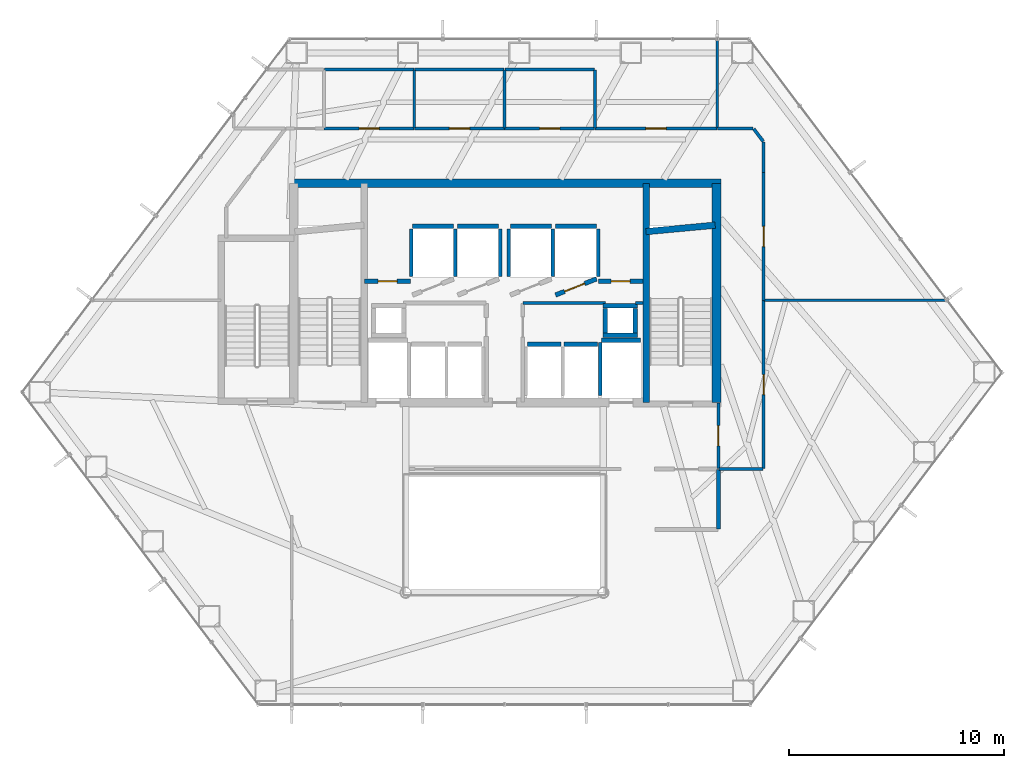
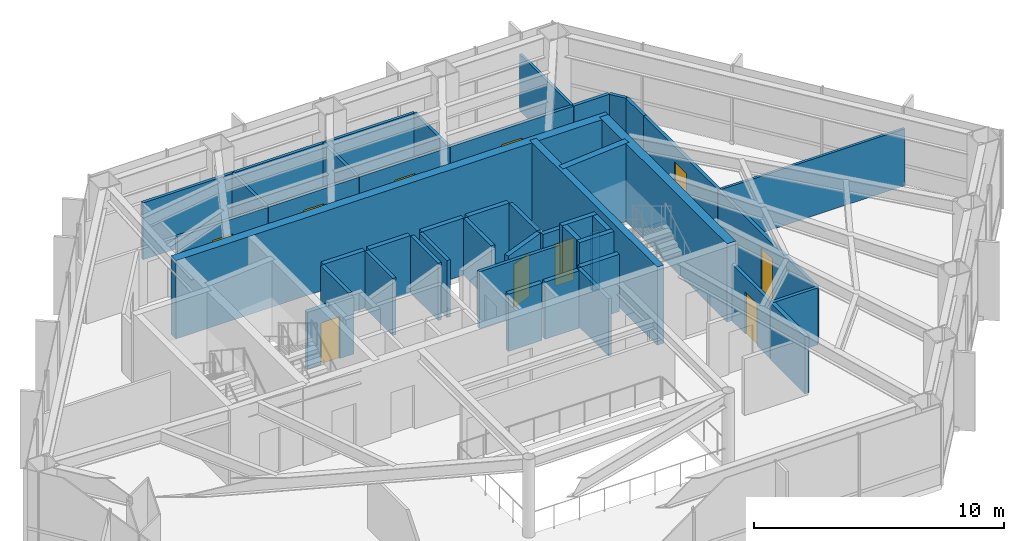
# One storey, part 24 of 26: 47 walls, 10 doors, 10 openings.
"""IFC4 building model written with IfcOpenShell, lengths in metres."""

from ifc_helpers import new_model, si_unit, direction, frame, frame_2d, origin, place, context, subcontext, project, spatial, rectangle, extrude, material, layer, layer_set, type_object, element, fill, save


model = new_model("IFC4")

# Units and contexts
model_context = context("Model", 3, precision=1e-05, world=origin(), true_north=direction((0.0, 1.0)))
body_context = subcontext(model_context, "Body", "Model", "MODEL_VIEW")
ifc_project = project(units=[si_unit("LENGTHUNIT", "METRE"), si_unit("AREAUNIT", "SQUARE_METRE"), si_unit("VOLUMEUNIT", "CUBIC_METRE"), si_unit("PLANEANGLEUNIT", "RADIAN"), si_unit("MASSUNIT", "GRAM", prefix="KILO")], contexts=[model_context])

# Site, building, storey
site_placement = place(None, origin())
site = spatial("IfcSite", under=ifc_project, at=site_placement, CompositionType="ELEMENT")
building_placement = place(site_placement, origin())
building = spatial("IfcBuilding", under=site, at=building_placement, Name="Zarrinselat Tower", CompositionType="ELEMENT")
storey_placement = place(building_placement, frame((0.0, 0.0, 27.5400390625)))
storey = spatial("IfcBuildingStorey", under=building, at=storey_placement, Name="L06", CompositionType="ELEMENT", Elevation=27.5400390625)

# Walls
ifc_material_1 = material(Name="Concrete C40/50", Category="concrete")
ifc_layer_1 = layer(ifc_material_1, 0.18994140625)
ifc_layer_set_1 = layer_set([ifc_layer_1], Name="Concrete C40/50")
wall_type_1 = type_object("IfcWallType", Name="WAL-PART-EI120", PredefinedType="PARTITIONING", material=ifc_layer_set_1)
wall_1_placement = place(storey_placement, frame((48.35009765625, 27.3701171875, 0.0), z_axis=(0.0, 0.0, 1.0), x_axis=(0.0, 1.0, 0.0)))
element("IfcWall", 1, at=wall_1_placement, inside=storey, type_object=wall_type_1, Name="L06 Partition Wall 12", PredefinedType="PARTITIONING", context=body_context, shape_type="SweptSolid", body=[
    extrude(rectangle(XDim=2.759765625, YDim=0.18994140625, at=frame_2d((1.3798828125, 0.0))), origin(), (0.0, 0.0, 1.0), 2.77685546875),
])
ifc_material_2 = material(Name="Fire-Rated Gypsum Board Partition", Category="gypsum")
ifc_layer_2 = layer(ifc_material_2, 0.14990234375)
ifc_layer_set_2 = layer_set([ifc_layer_2], Name="Fire-Rated Gypsum Board Partition")
wall_type_2 = type_object("IfcWallType", Name="WAL-PART-EI60", PredefinedType="PARTITIONING", material=ifc_layer_set_2)
wall_2_placement = place(storey_placement, frame((39.27001953125, 37.8798828125, 0.0), z_axis=(0.0, 0.0, 1.0), x_axis=(1.0, 0.0, 0.0)))
element("IfcWall", 2, at=wall_2_placement, inside=storey, type_object=wall_type_2, Name="L06 Partition Wall 5", PredefinedType="PARTITIONING", context=body_context, shape_type="SweptSolid", body=[
    extrude(rectangle(XDim=3.824951171875, YDim=0.14990234375, at=frame_2d((1.91259765625, 0.0))), origin(), (0.0, 0.0, 1.0), 2.77685546875),
])
wall_3_placement = place(storey_placement, frame((44.485107421875, 37.8798828125, 0.0), z_axis=(0.0, 0.0, 1.0), x_axis=(1.0, 0.0, 0.0)))
element("IfcWall", 3, at=wall_3_placement, inside=storey, type_object=wall_type_2, Name="L06 Partition Wall 6", PredefinedType="PARTITIONING", context=body_context, shape_type="SweptSolid", body=[
    extrude(rectangle(XDim=0.349853515625, YDim=0.14990234375, at=frame_2d((0.1748046875, 0.0))), origin(), (0.0, 0.0, 1.0), 2.77685546875),
])

# Wall, opening, door
wall_4_placement = place(storey_placement, frame((48.35009765625, 30.169921875, 0.0), z_axis=(0.0, 0.0, 1.0), x_axis=(0.0, 1.0, 0.0)))
wall_4 = element("IfcWall", 4, at=wall_4_placement, inside=storey, type_object=wall_type_2, Name="L06 Partition Wall 9", PredefinedType="PARTITIONING", context=body_context, shape_type="SweptSolid", body=[
    extrude(rectangle(XDim=3.06005859375, YDim=0.14990234375, at=frame_2d((1.530029296875, 0.0))), origin(), (0.0, 0.0, 1.0), 2.77685546875),
])
opening_1_placement = place(wall_4_placement, frame((1.06005859375, 0.0, 0.0)))
opening_1 = element("IfcOpeningElement", 5, at=opening_1_placement, cuts=wall_4, Name="Opening ID-04", PredefinedType="OPENING", context=body_context, shape_type="SweptSolid", body=[
    extrude(rectangle(XDim=0.93994140625, YDim=2.050048828125, at=frame_2d((0.469970703125, 1.02490234375))), frame((0.0, 0.0849609375, 0.0), z_axis=(0.0, -1.0, 0.0), x_axis=(1.0, 0.0, 0.0)), (0.0, 0.0, 1.0), 0.169921875),
])
ifc_material_3 = material(Name="Fire-Rated Gypsum Board Partition")
door_type_1 = type_object("IfcDoorType", Name="DR-INT-FD30-ENT", OperationType="NOTDEFINED", PredefinedType="DOOR", material=ifc_material_3)
door_1_placement = place(opening_1_placement, origin())
door_1 = element("IfcDoor", 6, at=door_1_placement, inside=storey, type_object=door_type_1, Name="L06 Interior Door P9", OperationType="SINGLE_SWING_RIGHT", OverallHeight=2.050048828125, OverallWidth=0.93994140625, PredefinedType="DOOR", context=body_context, shape_type="SweptSolid", body=[
    extrude(rectangle(XDim=0.93994140625, YDim=2.050048828125, at=frame_2d((0.469970703125, 1.02490234375))), frame((0.0, 0.02490234375, 0.0), z_axis=(0.0, -1.0, 0.0), x_axis=(1.0, 0.0, 0.0)), (0.0, 0.0, 1.0), 0.050048828125),
])
fill(opening_1, door_1)

wall_5_placement = place(storey_placement, frame((30.0048828125, 46.0, 0.0), z_axis=(0.0, 0.0, 1.0), x_axis=(1.0, 0.0, 0.0)))
wall_5 = element("IfcWall", 7, at=wall_5_placement, inside=storey, type_object=wall_type_2, Name="L06 Partition Wall 14", PredefinedType="PARTITIONING", context=body_context, shape_type="SweptSolid", body=[
    extrude(rectangle(XDim=4.190185546875, YDim=0.14990234375, at=frame_2d((2.09521484375, 0.0))), origin(), (0.0, 0.0, 1.0), 2.77685546875),
])
opening_2_placement = place(wall_5_placement, frame((1.625, 0.0, 0.0)))
opening_2 = element("IfcOpeningElement", 8, at=opening_2_placement, cuts=wall_5, Name="Opening ID-04", PredefinedType="OPENING", context=body_context, shape_type="SweptSolid", body=[
    extrude(rectangle(XDim=0.93994140625, YDim=2.050048828125, at=frame_2d((0.469970703125, 1.02490234375))), frame((0.0, 0.0849609375, 0.0), z_axis=(0.0, -1.0, 0.0), x_axis=(1.0, 0.0, 0.0)), (0.0, 0.0, 1.0), 0.169921875),
])
door_2_placement = place(opening_2_placement, origin())
door_2 = element("IfcDoor", 9, at=door_2_placement, inside=storey, type_object=door_type_1, Name="L06 Interior Door P14", OperationType="SINGLE_SWING_LEFT", OverallHeight=2.050048828125, OverallWidth=0.93994140625, PredefinedType="DOOR", context=body_context, shape_type="SweptSolid", body=[
    extrude(rectangle(XDim=0.93994140625, YDim=2.050048828125, at=frame_2d((0.469970703125, 1.02490234375))), frame((0.0, 0.02490234375, 0.0), z_axis=(0.0, -1.0, 0.0), x_axis=(1.0, 0.0, 0.0)), (0.0, 0.0, 1.0), 0.050048828125),
])
fill(opening_2, door_2)

wall_6_placement = place(storey_placement, frame((34.205078125, 46.0, 0.0), z_axis=(0.0, 0.0, 1.0), x_axis=(1.0, 0.0, 0.0)))
wall_6 = element("IfcWall", 10, at=wall_6_placement, inside=storey, type_object=wall_type_2, Name="L06 Partition Wall 15", PredefinedType="PARTITIONING", context=body_context, shape_type="SweptSolid", body=[
    extrude(rectangle(XDim=4.18994140625, YDim=0.14990234375, at=frame_2d((2.094970703125, 0.0))), origin(), (0.0, 0.0, 1.0), 2.77685546875),
])
opening_3_placement = place(wall_6_placement, frame((1.625, 0.0, 0.0)))
opening_3 = element("IfcOpeningElement", 11, at=opening_3_placement, cuts=wall_6, Name="Opening ID-04", PredefinedType="OPENING", context=body_context, shape_type="SweptSolid", body=[
    extrude(rectangle(XDim=0.93994140625, YDim=2.050048828125, at=frame_2d((0.469970703125, 1.02490234375))), frame((0.0, 0.0849609375, 0.0), z_axis=(0.0, -1.0, 0.0), x_axis=(1.0, 0.0, 0.0)), (0.0, 0.0, 1.0), 0.169921875),
])
door_3_placement = place(opening_3_placement, origin())
door_3 = element("IfcDoor", 12, at=door_3_placement, inside=storey, type_object=door_type_1, Name="L06 Interior Door P15", OperationType="SINGLE_SWING_RIGHT", OverallHeight=2.050048828125, OverallWidth=0.93994140625, PredefinedType="DOOR", context=body_context, shape_type="SweptSolid", body=[
    extrude(rectangle(XDim=0.93994140625, YDim=2.050048828125, at=frame_2d((0.469970703125, 1.02490234375))), frame((0.0, 0.02490234375, 0.0), z_axis=(0.0, -1.0, 0.0), x_axis=(1.0, 0.0, 0.0)), (0.0, 0.0, 1.0), 0.050048828125),
])
fill(opening_3, door_3)

wall_7_placement = place(storey_placement, frame((38.405029296875, 46.0, 0.0), z_axis=(0.0, 0.0, 1.0), x_axis=(1.0, 0.0, 0.0)))
wall_7 = element("IfcWall", 13, at=wall_7_placement, inside=storey, type_object=wall_type_2, Name="L06 Partition Wall 16", PredefinedType="PARTITIONING", context=body_context, shape_type="SweptSolid", body=[
    extrude(rectangle(XDim=4.18994140625, YDim=0.14990234375, at=frame_2d((2.094970703125, 0.0))), origin(), (0.0, 0.0, 1.0), 2.77685546875),
])
opening_4_placement = place(wall_7_placement, frame((1.625, 0.0, 0.0)))
opening_4 = element("IfcOpeningElement", 14, at=opening_4_placement, cuts=wall_7, Name="Opening ID-04", PredefinedType="OPENING", context=body_context, shape_type="SweptSolid", body=[
    extrude(rectangle(XDim=0.93994140625, YDim=2.050048828125, at=frame_2d((0.469970703125, 1.02490234375))), frame((0.0, 0.0849609375, 0.0), z_axis=(0.0, -1.0, 0.0), x_axis=(1.0, 0.0, 0.0)), (0.0, 0.0, 1.0), 0.169921875),
])
door_4_placement = place(opening_4_placement, origin())
door_4 = element("IfcDoor", 15, at=door_4_placement, inside=storey, type_object=door_type_1, Name="L06 Interior Door P16", OperationType="SINGLE_SWING_LEFT", OverallHeight=2.050048828125, OverallWidth=0.93994140625, PredefinedType="DOOR", context=body_context, shape_type="SweptSolid", body=[
    extrude(rectangle(XDim=0.93994140625, YDim=2.050048828125, at=frame_2d((0.469970703125, 1.02490234375))), frame((0.0, 0.02490234375, 0.0), z_axis=(0.0, -1.0, 0.0), x_axis=(1.0, 0.0, 0.0)), (0.0, 0.0, 1.0), 0.050048828125),
])
fill(opening_4, door_4)

wall_8_placement = place(storey_placement, frame((50.449951171875, 30.169921875, 0.0), z_axis=(0.0, 0.0, 1.0), x_axis=(0.0, 1.0, 0.0)))
wall_8 = element("IfcWall", 16, at=wall_8_placement, inside=storey, type_object=wall_type_2, Name="L06 Partition Wall 17", PredefinedType="PARTITIONING", context=body_context, shape_type="SweptSolid", body=[
    extrude(rectangle(XDim=7.8251953125, YDim=0.14990234375, at=frame_2d((3.91259765625, 0.0))), origin(), (0.0, 0.0, 1.0), 2.77685546875),
])
opening_5_placement = place(wall_8_placement, frame((3.4423828125, 0.0, 0.0)))
opening_5 = element("IfcOpeningElement", 17, at=opening_5_placement, cuts=wall_8, Name="Opening ID-04", PredefinedType="OPENING", context=body_context, shape_type="SweptSolid", body=[
    extrude(rectangle(XDim=0.93994140625, YDim=2.050048828125, at=frame_2d((0.469970703125, 1.02490234375))), frame((0.0, 0.0849609375, 0.0), z_axis=(0.0, -1.0, 0.0), x_axis=(1.0, 0.0, 0.0)), (0.0, 0.0, 1.0), 0.169921875),
])
door_5_placement = place(opening_5_placement, origin())
door_5 = element("IfcDoor", 18, at=door_5_placement, inside=storey, type_object=door_type_1, Name="L06 Interior Door P17", OperationType="SINGLE_SWING_RIGHT", OverallHeight=2.050048828125, OverallWidth=0.93994140625, PredefinedType="DOOR", context=body_context, shape_type="SweptSolid", body=[
    extrude(rectangle(XDim=0.93994140625, YDim=2.050048828125, at=frame_2d((0.469970703125, 1.02490234375))), frame((0.0, 0.02490234375, 0.0), z_axis=(0.0, -1.0, 0.0), x_axis=(1.0, 0.0, 0.0)), (0.0, 0.0, 1.0), 0.050048828125),
])
fill(opening_5, door_5)

# Walls
wall_9_placement = place(storey_placement, frame((48.3701171875, 30.14990234375, 0.0), z_axis=(0.0, 0.0, 1.0), x_axis=(1.0, 0.0, 0.0)))
element("IfcWall", 19, at=wall_9_placement, inside=storey, type_object=wall_type_2, Name="L06 Partition Wall 18", PredefinedType="PARTITIONING", context=body_context, shape_type="SweptSolid", body=[
    extrude(rectangle(XDim=2.059814453125, YDim=0.14990234375, at=frame_2d((1.02978515625, 0.0))), origin(), (0.0, 0.0, 1.0), 2.77685546875),
])
wall_10_placement = place(storey_placement, frame((48.31494140625, 46.0, 0.0), z_axis=(0.0, 0.0, 1.0), x_axis=(1.0, 0.0, 0.0)))
element("IfcWall", 20, at=wall_10_placement, inside=storey, type_object=wall_type_2, Name="L06 Partition Wall 21", PredefinedType="PARTITIONING", context=body_context, shape_type="SweptSolid", body=[
    extrude(rectangle(XDim=1.64599609375, YDim=0.14990234375, at=frame_2d((0.822998046875, 0.0))), origin(), (0.0, 0.0, 1.0), 2.77685546875),
])
wall_11_placement = place(storey_placement, frame((49.9931640625, 45.984130859375, 0.0), z_axis=(0.0, 0.0, 1.0), x_axis=(0.603704571474, -0.797208122375, 0.0)))
element("IfcWall", 21, at=wall_11_placement, inside=storey, type_object=wall_type_2, Name="L06 Partition Wall 22", PredefinedType="PARTITIONING", context=body_context, shape_type="SweptSolid", body=[
    extrude(rectangle(XDim=0.73681640625, YDim=0.14990234375, at=frame_2d((0.368408203125, 0.0))), origin(), (0.0, 0.0, 1.0), 2.77685546875),
])
wall_12_placement = place(storey_placement, frame((50.449951171875, 43.949951171875, 0.0), z_axis=(0.0, 0.0, 1.0), x_axis=(0.0, 1.0, 0.0)))
element("IfcWall", 22, at=wall_12_placement, inside=storey, type_object=wall_type_2, Name="L06 Partition Wall 23", PredefinedType="PARTITIONING", context=body_context, shape_type="SweptSolid", body=[
    extrude(rectangle(XDim=1.410888671875, YDim=0.14990234375, at=frame_2d((0.70556640625, 0.0))), origin(), (0.0, 0.0, 1.0), 2.77685546875),
])

# Wall, opening, door
wall_13_placement = place(storey_placement, frame((50.449951171875, 38.0048828125, 0.0), z_axis=(0.0, 0.0, 1.0), x_axis=(0.0, 1.0, 0.0)))
wall_13 = element("IfcWall", 23, at=wall_13_placement, inside=storey, type_object=wall_type_2, Name="L06 Partition Wall 24", PredefinedType="PARTITIONING", context=body_context, shape_type="SweptSolid", body=[
    extrude(rectangle(XDim=5.945068359375, YDim=0.14990234375, at=frame_2d((2.97265625, 0.0))), origin(), (0.0, 0.0, 1.0), 2.77685546875),
])
opening_6_placement = place(wall_13_placement, frame((2.50244140625, 0.0, 0.0)))
opening_6 = element("IfcOpeningElement", 24, at=opening_6_placement, cuts=wall_13, Name="Opening ID-04", PredefinedType="OPENING", context=body_context, shape_type="SweptSolid", body=[
    extrude(rectangle(XDim=0.93994140625, YDim=2.050048828125, at=frame_2d((0.469970703125, 1.02490234375))), frame((0.0, 0.0849609375, 0.0), z_axis=(0.0, -1.0, 0.0), x_axis=(1.0, 0.0, 0.0)), (0.0, 0.0, 1.0), 0.169921875),
])
door_6_placement = place(opening_6_placement, origin())
door_6 = element("IfcDoor", 25, at=door_6_placement, inside=storey, type_object=door_type_1, Name="L06 Interior Door P24", OperationType="SINGLE_SWING_RIGHT", OverallHeight=2.050048828125, OverallWidth=0.93994140625, PredefinedType="DOOR", context=body_context, shape_type="SweptSolid", body=[
    extrude(rectangle(XDim=0.93994140625, YDim=2.050048828125, at=frame_2d((0.469970703125, 1.02490234375))), frame((0.0, 0.02490234375, 0.0), z_axis=(0.0, -1.0, 0.0), x_axis=(1.0, 0.0, 0.0)), (0.0, 0.0, 1.0), 0.050048828125),
])
fill(opening_6, door_6)

wall_14_placement = place(storey_placement, frame((42.60498046875, 46.0, 0.0), z_axis=(0.0, 0.0, 1.0), x_axis=(1.0, 0.0, 0.0)))
wall_14 = element("IfcWall", 26, at=wall_14_placement, inside=storey, type_object=wall_type_2, Name="L06 Partition Wall 25", PredefinedType="PARTITIONING", context=body_context, shape_type="SweptSolid", body=[
    extrude(rectangle(XDim=5.68994140625, YDim=0.14990234375, at=frame_2d((2.844970703125, 0.0))), origin(), (0.0, 0.0, 1.0), 2.77685546875),
])
opening_7_placement = place(wall_14_placement, frame((2.375, 0.0, 0.0)))
opening_7 = element("IfcOpeningElement", 27, at=opening_7_placement, cuts=wall_14, Name="Opening ID-04", PredefinedType="OPENING", context=body_context, shape_type="SweptSolid", body=[
    extrude(rectangle(XDim=0.93994140625, YDim=2.050048828125, at=frame_2d((0.469970703125, 1.02490234375))), frame((0.0, 0.0849609375, 0.0), z_axis=(0.0, -1.0, 0.0), x_axis=(1.0, 0.0, 0.0)), (0.0, 0.0, 1.0), 0.169921875),
])
door_7_placement = place(opening_7_placement, origin())
door_7 = element("IfcDoor", 28, at=door_7_placement, inside=storey, type_object=door_type_1, Name="L06 Interior Door P25", OperationType="SINGLE_SWING_LEFT", OverallHeight=2.050048828125, OverallWidth=0.93994140625, PredefinedType="DOOR", context=body_context, shape_type="SweptSolid", body=[
    extrude(rectangle(XDim=0.93994140625, YDim=2.050048828125, at=frame_2d((0.469970703125, 1.02490234375))), frame((0.0, 0.02490234375, 0.0), z_axis=(0.0, -1.0, 0.0), x_axis=(1.0, 0.0, 0.0)), (0.0, 0.0, 1.0), 0.050048828125),
])
fill(opening_7, door_7)

ifc_material_4 = material(Name="Concrete C40/50", Category="concrete")
ifc_layer_3 = layer(ifc_material_4, 0.199951171875)
ifc_layer_set_3 = layer_set([ifc_layer_3], Name="Concrete C40/50")
wall_type_3 = type_object("IfcWallType", Name="WAL-PART-PLANT", PredefinedType="PARTITIONING", material=ifc_layer_set_3)
wall_15_placement = place(storey_placement, frame((31.885009765625, 38.889892578125, 0.0), z_axis=(0.0, 0.0, 1.0), x_axis=(1.0, 0.0, 0.0)))
wall_15 = element("IfcWall", 29, at=wall_15_placement, inside=storey, type_object=wall_type_3, Name="L06 Partition Wall 3", PredefinedType="PARTITIONING", context=body_context, shape_type="SweptSolid", body=[
    extrude(rectangle(XDim=2.14990234375, YDim=0.199951171875, at=frame_2d((1.074951171875, 0.0))), origin(), (0.0, 0.0, 1.0), 2.77685546875),
])
opening_8_placement = place(wall_15_placement, frame((0.635009765625, 0.0, 0.0)))
opening_8 = element("IfcOpeningElement", 30, at=opening_8_placement, cuts=wall_15, Name="Opening ID-03", PredefinedType="OPENING", context=body_context, shape_type="SweptSolid", body=[
    extrude(rectangle(XDim=0.8798828125, YDim=2.050048828125, at=frame_2d((0.43994140625, 1.02490234375))), frame((0.0, 0.10986328125, 0.0), z_axis=(0.0, -1.0, 0.0), x_axis=(1.0, 0.0, 0.0)), (0.0, 0.0, 1.0), 0.219970703125),
])
ifc_material_5 = material(Name="Steel S355J2", Category="steel")
door_type_2 = type_object("IfcDoorType", Name="DR-INT-FD60-S", OperationType="NOTDEFINED", PredefinedType="DOOR", material=ifc_material_5)
door_8_placement = place(opening_8_placement, origin())
door_8 = element("IfcDoor", 31, at=door_8_placement, inside=storey, type_object=door_type_2, Name="L06 Interior Door P3", OperationType="SINGLE_SWING_RIGHT", OverallHeight=2.050048828125, OverallWidth=0.8798828125, PredefinedType="DOOR", context=body_context, shape_type="SweptSolid", body=[
    extrude(rectangle(XDim=0.8798828125, YDim=2.050048828125, at=frame_2d((0.43994140625, 1.02490234375))), frame((0.0, 0.02490234375, 0.0), z_axis=(0.0, -1.0, 0.0), x_axis=(1.0, 0.0, 0.0)), (0.0, 0.0, 1.0), 0.050048828125),
])
fill(opening_8, door_8)

wall_16_placement = place(storey_placement, frame((42.764892578125, 38.889892578125, 0.0), z_axis=(0.0, 0.0, 1.0), x_axis=(1.0, 0.0, 0.0)))
wall_16 = element("IfcWall", 32, at=wall_16_placement, inside=storey, type_object=wall_type_3, Name="L06 Partition Wall 4", PredefinedType="PARTITIONING", context=body_context, shape_type="SweptSolid", body=[
    extrude(rectangle(XDim=2.070068359375, YDim=0.199951171875, at=frame_2d((1.03515625, 0.0))), origin(), (0.0, 0.0, 1.0), 2.77685546875),
])
opening_9_placement = place(wall_16_placement, frame((0.594970703125, 0.0, 0.0)))
opening_9 = element("IfcOpeningElement", 33, at=opening_9_placement, cuts=wall_16, Name="Opening ID-03", PredefinedType="OPENING", context=body_context, shape_type="SweptSolid", body=[
    extrude(rectangle(XDim=0.8798828125, YDim=2.050048828125, at=frame_2d((0.43994140625, 1.02490234375))), frame((0.0, 0.10986328125, 0.0), z_axis=(0.0, -1.0, 0.0), x_axis=(1.0, 0.0, 0.0)), (0.0, 0.0, 1.0), 0.219970703125),
])
door_9_placement = place(opening_9_placement, origin())
door_9 = element("IfcDoor", 34, at=door_9_placement, inside=storey, type_object=door_type_2, Name="L06 Interior Door P4", OperationType="SINGLE_SWING_LEFT", OverallHeight=2.050048828125, OverallWidth=0.8798828125, PredefinedType="DOOR", context=body_context, shape_type="SweptSolid", body=[
    extrude(rectangle(XDim=0.8798828125, YDim=2.050048828125, at=frame_2d((0.43994140625, 1.02490234375))), frame((0.0, 0.02490234375, 0.0), z_axis=(0.0, -1.0, 0.0), x_axis=(1.0, 0.0, 0.0)), (0.0, 0.0, 1.0), 0.050048828125),
])
fill(opening_9, door_9)

# Walls
ifc_material_6 = material(Name="Fire-Rated Gypsum Board Partition", Category="gypsum")
ifc_layer_4 = layer(ifc_material_6, 0.1201171875)
ifc_layer_set_4 = layer_set([ifc_layer_4], Name="Fire-Rated Gypsum Board Partition")
wall_type_4 = type_object("IfcWallType", Name="WAL-PART-STD", PredefinedType="PARTITIONING", material=ifc_layer_set_4)
wall_17_placement = place(storey_placement, frame((50.469970703125, 38.0, 0.0), z_axis=(0.0, 0.0, 1.0), x_axis=(1.0, 0.0, 0.0)))
element("IfcWall", 35, at=wall_17_placement, inside=storey, type_object=wall_type_4, Name="L06 Partition Wall 38", PredefinedType="PARTITIONING", context=body_context, shape_type="SweptSolid", body=[
    extrude(rectangle(XDim=8.517333984375, YDim=0.1201171875, at=frame_2d((4.2587890625, 0.0))), origin(), (0.0, 0.0, 1.0), 2.77685546875),
])
wall_18_placement = place(storey_placement, frame((48.300048828125, 46.02001953125, 0.0), z_axis=(0.0, 0.0, 1.0), x_axis=(0.0, 1.0, 0.0)))
element("IfcWall", 36, at=wall_18_placement, inside=storey, type_object=wall_type_4, Name="L06 Partition Wall 39", PredefinedType="PARTITIONING", context=body_context, shape_type="SweptSolid", body=[
    extrude(rectangle(XDim=4.1259765625, YDim=0.1201171875, at=frame_2d((2.06298828125, 0.0))), origin(), (0.0, 0.0, 1.0), 2.77685546875),
])
ifc_material_7 = material(Name="Fire-Rated Gypsum Board Partition", Category="gypsum")
ifc_layer_5 = layer(ifc_material_7, 0.135009765625)
ifc_layer_set_5 = layer_set([ifc_layer_5], Name="Fire-Rated Gypsum Board Partition")
wall_type_5 = type_object("IfcWallType", Name="WAL-PART-WET", PredefinedType="PARTITIONING", material=ifc_layer_set_5)
wall_19_placement = place(storey_placement, frame((34.199951171875, 46.02001953125, 0.0), z_axis=(0.0, 0.0, 1.0), x_axis=(0.0, 1.0, 0.0)))
element("IfcWall", 37, at=wall_19_placement, inside=storey, type_object=wall_type_5, Name="L06 Partition Wall 30", PredefinedType="PARTITIONING", context=body_context, shape_type="SweptSolid", body=[
    extrude(rectangle(XDim=2.7099609375, YDim=0.135009765625, at=frame_2d((1.35498046875, 0.0))), origin(), (0.0, 0.0, 1.0), 2.77685546875),
])
wall_20_placement = place(storey_placement, frame((30.02001953125, 48.75, 0.0), z_axis=(0.0, 0.0, 1.0), x_axis=(1.0, 0.0, 0.0)))
element("IfcWall", 38, at=wall_20_placement, inside=storey, type_object=wall_type_5, Name="L06 Partition Wall 31", PredefinedType="PARTITIONING", context=body_context, shape_type="SweptSolid", body=[
    extrude(rectangle(XDim=4.159912109375, YDim=0.135009765625, at=frame_2d((2.080078125, 0.0))), origin(), (0.0, 0.0, 1.0), 2.77685546875),
])
wall_21_placement = place(storey_placement, frame((38.39990234375, 46.02001953125, 0.0), z_axis=(0.0, 0.0, 1.0), x_axis=(0.0, 1.0, 0.0)))
element("IfcWall", 39, at=wall_21_placement, inside=storey, type_object=wall_type_5, Name="L06 Partition Wall 32", PredefinedType="PARTITIONING", context=body_context, shape_type="SweptSolid", body=[
    extrude(rectangle(XDim=2.7099609375, YDim=0.135009765625, at=frame_2d((1.35498046875, 0.0))), origin(), (0.0, 0.0, 1.0), 2.77685546875),
])
wall_22_placement = place(storey_placement, frame((34.219970703125, 48.75, 0.0), z_axis=(0.0, 0.0, 1.0), x_axis=(1.0, 0.0, 0.0)))
element("IfcWall", 40, at=wall_22_placement, inside=storey, type_object=wall_type_5, Name="L06 Partition Wall 33", PredefinedType="PARTITIONING", context=body_context, shape_type="SweptSolid", body=[
    extrude(rectangle(XDim=4.159912109375, YDim=0.135009765625, at=frame_2d((2.080078125, 0.0))), origin(), (0.0, 0.0, 1.0), 2.77685546875),
])
wall_23_placement = place(storey_placement, frame((38.419921875, 48.75, 0.0), z_axis=(0.0, 0.0, 1.0), x_axis=(1.0, 0.0, 0.0)))
element("IfcWall", 41, at=wall_23_placement, inside=storey, type_object=wall_type_5, Name="L06 Partition Wall 34", PredefinedType="PARTITIONING", context=body_context, shape_type="SweptSolid", body=[
    extrude(rectangle(XDim=4.16015625, YDim=0.135009765625, at=frame_2d((2.080078125, 0.0))), origin(), (0.0, 0.0, 1.0), 2.77685546875),
])
wall_24_placement = place(storey_placement, frame((42.60009765625, 46.02001953125, 0.0), z_axis=(0.0, 0.0, 1.0), x_axis=(0.0, 1.0, 0.0)))
element("IfcWall", 42, at=wall_24_placement, inside=storey, type_object=wall_type_5, Name="L06 Partition Wall 35", PredefinedType="PARTITIONING", context=body_context, shape_type="SweptSolid", body=[
    extrude(rectangle(XDim=2.7099609375, YDim=0.135009765625, at=frame_2d((1.35498046875, 0.0))), origin(), (0.0, 0.0, 1.0), 2.77685546875),
])
ifc_material_8 = material(Name="Concrete C40/50", Category="concrete")
ifc_layer_6 = layer(ifc_material_8, 0.2099609375)
ifc_layer_set_6 = layer_set([ifc_layer_6], Name="Concrete C40/50")
wall_type_6 = type_object("IfcWallType", Name="WAL-SHAFT-210", PredefinedType="SOLIDWALL", material=ifc_layer_set_6)
wall_25_placement = place(storey_placement, frame((42.919921875, 36.155029296875, 0.0), z_axis=(0.0, 0.0, 1.0), x_axis=(1.0, 0.0, 0.0)))
element("IfcWall", 43, at=wall_25_placement, inside=storey, type_object=wall_type_6, Name="L06 Lift FFL2 North Shaft Wall", PredefinedType="SOLIDWALL", context=body_context, shape_type="SweptSolid", body=[
    extrude(rectangle(XDim=1.800048828125, YDim=0.2099609375, at=frame_2d((0.89990234375, 0.0))), origin(), (0.0, 0.0, 1.0), 2.7919921875),
])
wall_26_placement = place(storey_placement, frame((42.85009765625, 33.580078125, 0.0), z_axis=(0.0, 0.0, 1.0), x_axis=(0.0, 1.0, 0.0)))
element("IfcWall", 44, at=wall_26_placement, inside=storey, type_object=wall_type_6, Name="L06 Lift FFL2 W Shaft Wall", PredefinedType="SOLIDWALL", context=body_context, shape_type="SweptSolid", body=[
    extrude(rectangle(XDim=2.449951171875, YDim=0.159912109375, at=frame_2d((1.22509765625, 0.0))), origin(), (0.0, 0.0, 1.0), 2.7919921875),
])
wall_27_placement = place(storey_placement, frame((34.1201171875, 41.455078125, 0.0), z_axis=(0.0, 0.0, 1.0), x_axis=(1.0, 0.0, 0.0)))
element("IfcWall", 45, at=wall_27_placement, inside=storey, type_object=wall_type_6, Name="L06 Lift PL1 Rear Shaft Wall", PredefinedType="SOLIDWALL", context=body_context, shape_type="SweptSolid", body=[
    extrude(rectangle(XDim=1.909912109375, YDim=0.2099609375, at=frame_2d((0.955078125, 0.0))), origin(), (0.0, 0.0, 1.0), 2.7919921875),
])
for number, where, z_axis, x_axis, name in (
    (46, (34.050048828125, 39.1201171875, 0.0), (0.0, 0.0, 1.0), (0.0, 1.0, 0.0), "L06 Lift PL1 W Shaft Wall"),
    (47, (36.10009765625, 39.1201171875, 0.0), (0.0, 0.0, 1.0), (0.0, 1.0, 0.0), "L06 Lift PL1 E Shaft Wall"),
):
    element("IfcWall", number, at=place(storey_placement, frame(where, z_axis=z_axis, x_axis=x_axis)), inside=storey, type_object=wall_type_6, Name=name, PredefinedType="SOLIDWALL", context=body_context, shape_type="SweptSolid", body=[
        extrude(rectangle(XDim=2.2099609375, YDim=0.159912109375, at=frame_2d((1.10498046875, 0.0))), origin(), (0.0, 0.0, 1.0), 2.7919921875),
    ])
wall_28_placement = place(storey_placement, frame((36.219970703125, 41.455078125, 0.0), z_axis=(0.0, 0.0, 1.0), x_axis=(1.0, 0.0, 0.0)))
element("IfcWall", 48, at=wall_28_placement, inside=storey, type_object=wall_type_6, Name="L06 Lift PL2 Rear Shaft Wall", PredefinedType="SOLIDWALL", context=body_context, shape_type="SweptSolid", body=[
    extrude(rectangle(XDim=1.909912109375, YDim=0.2099609375, at=frame_2d((0.955078125, 0.0))), origin(), (0.0, 0.0, 1.0), 2.7919921875),
])
wall_29_placement = place(storey_placement, frame((38.199951171875, 39.1201171875, 0.0), z_axis=(0.0, 0.0, 1.0), x_axis=(0.0, 1.0, 0.0)))
element("IfcWall", 49, at=wall_29_placement, inside=storey, type_object=wall_type_6, Name="L06 Lift PL2 E Shaft Wall", PredefinedType="SOLIDWALL", context=body_context, shape_type="SweptSolid", body=[
    extrude(rectangle(XDim=2.2099609375, YDim=0.159912109375, at=frame_2d((1.10498046875, 0.0))), origin(), (0.0, 0.0, 1.0), 2.7919921875),
])
wall_30_placement = place(storey_placement, frame((38.669921875, 41.455078125, 0.0), z_axis=(0.0, 0.0, 1.0), x_axis=(1.0, 0.0, 0.0)))
element("IfcWall", 50, at=wall_30_placement, inside=storey, type_object=wall_type_6, Name="L06 Lift PL3 Rear Shaft Wall", PredefinedType="SOLIDWALL", context=body_context, shape_type="SweptSolid", body=[
    extrude(rectangle(XDim=1.91015625, YDim=0.2099609375, at=frame_2d((0.955078125, 0.0))), origin(), (0.0, 0.0, 1.0), 2.7919921875),
])
for number, where, z_axis, x_axis, name in (
    (51, (38.60009765625, 39.1201171875, 0.0), (0.0, 0.0, 1.0), (0.0, 1.0, 0.0), "L06 Lift PL3 W Shaft Wall"),
    (52, (40.64990234375, 39.1201171875, 0.0), (0.0, 0.0, 1.0), (0.0, 1.0, 0.0), "L06 Lift PL3 E Shaft Wall"),
):
    element("IfcWall", number, at=place(storey_placement, frame(where, z_axis=z_axis, x_axis=x_axis)), inside=storey, type_object=wall_type_6, Name=name, PredefinedType="SOLIDWALL", context=body_context, shape_type="SweptSolid", body=[
        extrude(rectangle(XDim=2.2099609375, YDim=0.159912109375, at=frame_2d((1.10498046875, 0.0))), origin(), (0.0, 0.0, 1.0), 2.7919921875),
    ])

# Wall, opening, door
wall_31_placement = place(storey_placement, frame((40.77001953125, 38.25, 0.0), z_axis=(0.0, 0.0, 1.0), x_axis=(0.930804993012, 0.36551616241, 0.0)))
wall_31 = element("IfcWall", 53, at=wall_31_placement, inside=storey, type_object=wall_type_6, Name="L06 Lift PL4 Front Shaft Wall", PredefinedType="SOLIDWALL", context=body_context, shape_type="SweptSolid", body=[
    extrude(rectangle(XDim=2.052001953125, YDim=0.2099609375, at=frame_2d((1.02587890625, 0.0))), origin(), (0.0, 0.0, 1.0), 2.7919921875),
])
opening_10_placement = place(wall_31_placement, frame((0.455078125, 0.0, 0.0)))
opening_10 = element("IfcOpeningElement", 54, at=opening_10_placement, cuts=wall_31, Name="Opening LD-PL4", PredefinedType="OPENING", context=body_context, shape_type="SweptSolid", body=[
    extrude(rectangle(XDim=1.0, YDim=2.10009765625, at=frame_2d((0.5, 1.050048828125))), frame((0.0, 0.114990234375, 0.0), z_axis=(0.0, -1.0, 0.0), x_axis=(1.0, 0.0, 0.0)), (0.0, 0.0, 1.0), 0.22998046875),
])
ifc_material_9 = material(Name="Steel S355J2", Category="steel")
door_type_3 = type_object("IfcDoorType", Name="DR-LIFT-PS-1000", OperationType="NOTDEFINED", PredefinedType="DOOR", material=ifc_material_9)
door_10_placement = place(opening_10_placement, origin())
door_10 = element("IfcDoor", 55, at=door_10_placement, inside=storey, type_object=door_type_3, Name="L06 Lift PL4 Sliding Landing Door", OperationType="SLIDING_TO_RIGHT", OverallHeight=2.10009765625, OverallWidth=1.0, PredefinedType="DOOR", context=body_context, shape_type="SweptSolid", body=[
    extrude(rectangle(XDim=1.0, YDim=2.10009765625, at=frame_2d((0.5, 1.050048828125))), frame((0.0, 0.02490234375, 0.0), z_axis=(0.0, -1.0, 0.0), x_axis=(1.0, 0.0, 0.0)), (0.0, 0.0, 1.0), 0.050048828125),
])
fill(opening_10, door_10)

# Walls
wall_32_placement = place(storey_placement, frame((40.77001953125, 41.455078125, 0.0), z_axis=(0.0, 0.0, 1.0), x_axis=(1.0, 0.0, 0.0)))
element("IfcWall", 56, at=wall_32_placement, inside=storey, type_object=wall_type_6, Name="L06 Lift PL4 Rear Shaft Wall", PredefinedType="SOLIDWALL", context=body_context, shape_type="SweptSolid", body=[
    extrude(rectangle(XDim=1.909912109375, YDim=0.2099609375, at=frame_2d((0.955078125, 0.0))), origin(), (0.0, 0.0, 1.0), 2.7919921875),
])
wall_33_placement = place(storey_placement, frame((42.75, 39.1201171875, 0.0), z_axis=(0.0, 0.0, 1.0), x_axis=(0.0, 1.0, 0.0)))
element("IfcWall", 57, at=wall_33_placement, inside=storey, type_object=wall_type_6, Name="L06 Lift PL4 E Shaft Wall", PredefinedType="SOLIDWALL", context=body_context, shape_type="SweptSolid", body=[
    extrude(rectangle(XDim=2.2099609375, YDim=0.159912109375, at=frame_2d((1.10498046875, 0.0))), origin(), (0.0, 0.0, 1.0), 2.7919921875),
])
for number, where, z_axis, x_axis, name in (
    (58, (39.469970703125, 35.955078125, 0.0), (0.0, 0.0, 1.0), (1.0, 0.0, 0.0), "L06 Lift PL8 North Shaft Wall"),
    (59, (41.169921875, 35.955078125, 0.0), (0.0, 0.0, 1.0), (1.0, 0.0, 0.0), "L06 Lift PL9 North Shaft Wall"),
):
    element("IfcWall", number, at=place(storey_placement, frame(where, z_axis=z_axis, x_axis=x_axis)), inside=storey, type_object=wall_type_6, Name=name, PredefinedType="SOLIDWALL", context=body_context, shape_type="SweptSolid", body=[
        extrude(rectangle(XDim=1.56005859375, YDim=0.2099609375, at=frame_2d((0.780029296875, 0.0))), origin(), (0.0, 0.0, 1.0), 2.7919921875),
    ])
for number, where, z_axis, x_axis, name in (
    (60, (42.989990234375, 36.375, 0.0), (0.0, 0.0, 1.0), (1.0, 0.0, 0.0), "L06 Core Riser RSR-E S Shaft Wall"),
    (61, (42.989990234375, 37.7451171875, 0.0), (0.0, 0.0, 1.0), (1.0, 0.0, 0.0), "L06 Core Riser RSR-E N Shaft Wall"),
):
    element("IfcWall", number, at=place(storey_placement, frame(where, z_axis=z_axis, x_axis=x_axis)), inside=storey, type_object=wall_type_6, Name=name, PredefinedType="SOLIDWALL", context=body_context, shape_type="SweptSolid", body=[
        extrude(rectangle(XDim=1.60009765625, YDim=0.2099609375, at=frame_2d((0.800048828125, 0.0))), origin(), (0.0, 0.0, 1.0), 3.820068359375),
    ])
for number, where, z_axis, x_axis, name in (
    (62, (43.094970703125, 36.485107421875, 0.0), (0.0, 0.0, 1.0), (0.0, 1.0, 0.0), "L06 Core Riser RSR-E W Shaft Wall"),
    (63, (44.485107421875, 36.485107421875, 0.0), (0.0, 0.0, 1.0), (0.0, 1.0, 0.0), "L06 Core Riser RSR-E E Shaft Wall"),
):
    element("IfcWall", number, at=place(storey_placement, frame(where, z_axis=z_axis, x_axis=x_axis)), inside=storey, type_object=wall_type_6, Name=name, PredefinedType="SOLIDWALL", context=body_context, shape_type="SweptSolid", body=[
        extrude(rectangle(XDim=1.14990234375, YDim=0.2099609375, at=frame_2d((0.574951171875, 0.0))), origin(), (0.0, 0.0, 1.0), 3.820068359375),
    ])
ifc_material_10 = material(Name="Concrete C40/50", Category="concrete")
ifc_layer_7 = layer(ifc_material_10, 0.300048828125)
ifc_layer_set_7 = layer_set([ifc_layer_7], Name="Concrete C40/50")
wall_type_7 = type_object("IfcWallType", Name="WAL-SHEAR-300", PredefinedType="SHEAR", material=ifc_layer_set_7)
wall_34_placement = place(storey_placement, frame((44.989990234375, 33.25, 0.0), z_axis=(0.0, 0.0, 1.0), x_axis=(0.0, 1.0, 0.0)))
element("IfcWall", 64, at=wall_34_placement, inside=storey, type_object=wall_type_7, Name="L06 Core Shear Wall ST2W", PredefinedType="SHEAR", context=body_context, shape_type="SweptSolid", body=[
    extrude(rectangle(XDim=10.199951171875, YDim=0.300048828125, at=frame_2d((5.10009765625, 0.0))), origin(), (0.0, 0.0, 1.0), 3.820068359375),
])
wall_35_placement = place(storey_placement, frame((44.97998046875, 41.199951171875, 0.0), z_axis=(0.0, 0.0, 1.0), x_axis=(0.995686468965, 0.09278176286, 0.0)))
element("IfcWall", 65, at=wall_35_placement, inside=storey, type_object=wall_type_7, Name="L06 Stair 2 North Shaft Wall", PredefinedType="SHEAR", context=body_context, shape_type="SweptSolid", body=[
    extrude(rectangle(XDim=3.23388671875, YDim=0.300048828125, at=frame_2d((1.616943359375, 0.0))), origin(), (0.0, 0.0, 1.0), 3.820068359375),
])
ifc_material_11 = material(Name="Concrete C60/75", Category="concrete")
ifc_layer_8 = layer(ifc_material_11, 0.39990234375)
ifc_layer_set_8 = layer_set([ifc_layer_8], Name="Concrete C60/75")
wall_type_8 = type_object("IfcWallType", Name="WAL-SHEAR-400", PredefinedType="SHEAR", material=ifc_layer_set_8)
wall_36_placement = place(storey_placement, frame((28.39990234375, 43.449951171875, 0.0), z_axis=(0.0, 0.0, 1.0), x_axis=(1.0, 0.0, 0.0)))
element("IfcWall", 66, at=wall_36_placement, inside=storey, type_object=wall_type_8, Name="L06 North Core Shear Wall", PredefinedType="SHEAR", context=body_context, shape_type="SweptSolid", body=[
    extrude(rectangle(XDim=20.06005859375, YDim=0.39990234375, at=frame_2d((10.030029296875, 0.0))), origin(), (0.0, 0.0, 1.0), 3.820068359375),
])
wall_37_placement = place(storey_placement, frame((48.260009765625, 33.25, 0.0), z_axis=(0.0, 0.0, 1.0), x_axis=(0.0, 1.0, 0.0)))
element("IfcWall", 67, at=wall_37_placement, inside=storey, type_object=wall_type_8, Name="L06 Core Shear Wall E", PredefinedType="SHEAR", context=body_context, shape_type="SweptSolid", body=[
    extrude(rectangle(XDim=10.199951171875, YDim=0.39990234375, at=frame_2d((5.10009765625, 0.0))), origin(), (0.0, 0.0, 1.0), 3.820068359375),
])

save(model, "model.ifc")
